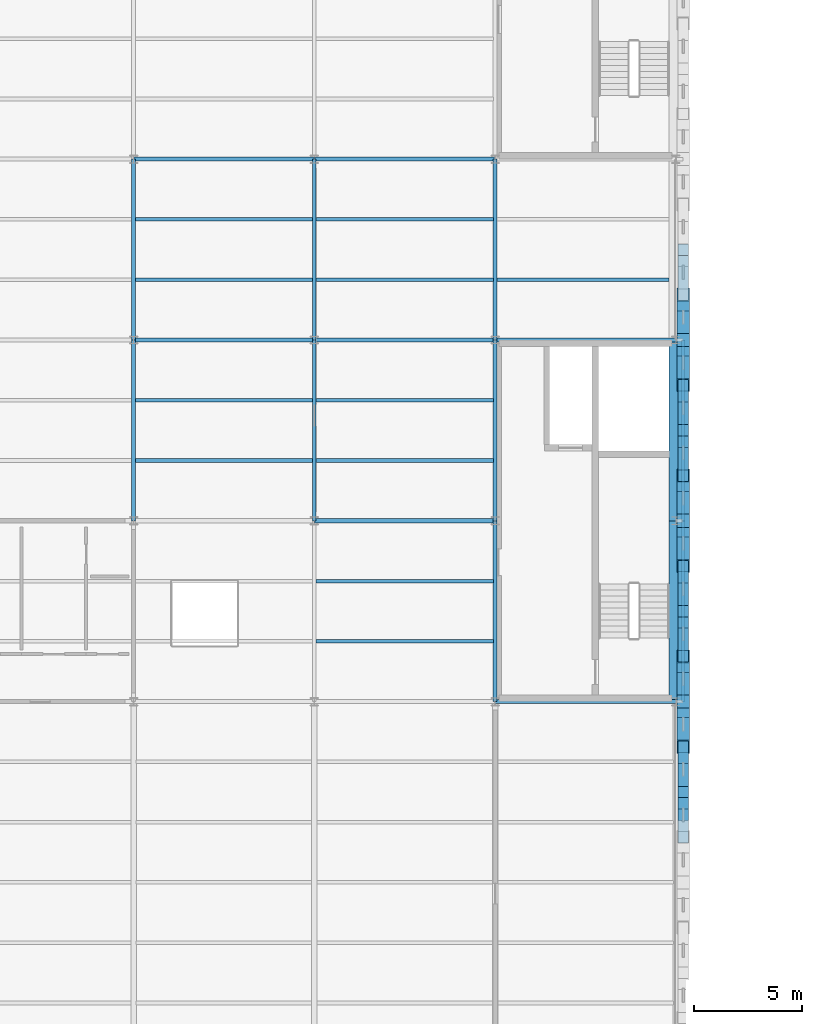
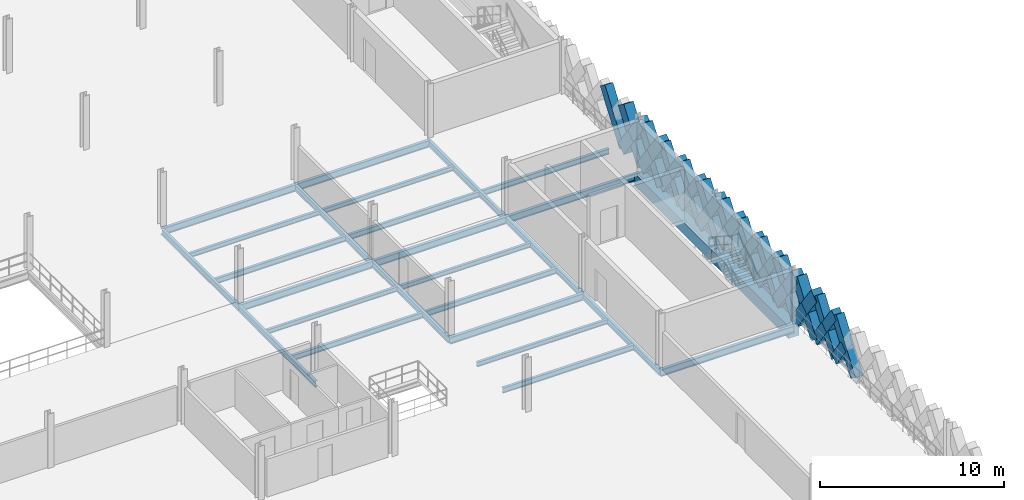
# One storey, part 24 of 74: 38 members, 27 beams.
"""IFC4 building model written with IfcOpenShell, lengths in metres."""

from ifc_helpers import new_model, si_unit, direction, frame, origin, origin_2d, place, context, subcontext, project, spatial, rectangle, hollow_rectangle, i_section, extrude, material, material_profile, profile_set, type_object, element, save


model = new_model("IFC4")

# Units and contexts
model_context = context("Model", 3, precision=1e-05, world=origin(), true_north=direction((0.0, 1.0)))
body_context = subcontext(model_context, "Body", "Model", "MODEL_VIEW")
ifc_project = project(units=[si_unit("LENGTHUNIT", "METRE"), si_unit("AREAUNIT", "SQUARE_METRE"), si_unit("VOLUMEUNIT", "CUBIC_METRE"), si_unit("PLANEANGLEUNIT", "RADIAN"), si_unit("MASSUNIT", "GRAM", prefix="KILO"), si_unit("THERMODYNAMICTEMPERATUREUNIT", "KELVIN"), si_unit("POWERUNIT", "WATT")], contexts=[model_context])

# Site, building, storey
site_placement = place(None, origin())
site = spatial("IfcSite", under=ifc_project, at=site_placement, CompositionType="ELEMENT")
building_placement = place(site_placement, origin())
building = spatial("IfcBuilding", under=site, at=building_placement, Name="Tembeka Court Mobility Hub", CompositionType="ELEMENT")
storey_placement = place(building_placement, frame((0.0, 0.0, 12.60009765625)))
storey = spatial("IfcBuildingStorey", under=building, at=storey_placement, Name="L03", CompositionType="ELEMENT", Elevation=12.60009765625)

# Beams
ifc_material_1 = material(Name="Steel S355", Category="steel")
ifc_material_profile_1 = material_profile(ifc_material_1, i_section(OverallWidth=0.18994140625, OverallDepth=0.45703125, WebThickness=0.009033203125, FlangeThickness=0.014404296875, FilletRadius=0.01025390625, at=origin_2d()), Name="UKB 457x191x74")
ifc_profile_set_1 = profile_set([ifc_material_profile_1], Name="Steel S355")
beam_type_1 = type_object("IfcBeamType", Name="BM-B01", PredefinedType="BEAM", material=ifc_profile_set_1)
for number, where, z_axis, x_axis, name in (
    (1, (84.0, 38.39990234375, -0.448486328125), (1.0, 0.0, 0.0), (0.0, 1.0, 0.0), "Beam B01 (BM-L03-X1728)"),
    (2, (75.60009765625, 46.800048828125, -0.448486328125), (1.0, 0.0, 0.0), (0.0, 1.0, 0.0), "Beam B01 (BM-L03-X1742)"),
):
    element("IfcBeam", number, at=place(storey_placement, frame(where, z_axis=z_axis, x_axis=x_axis)), inside=storey, type_object=beam_type_1, Name=name, PredefinedType="BEAM", context=body_context, shape_type="SweptSolid", body=[
        extrude(i_section(OverallWidth=0.18994140625, OverallDepth=0.45703125, WebThickness=0.009033203125, FlangeThickness=0.014404296875, FilletRadius=0.01025390625, at=origin_2d()), origin(), (0.0, 0.0, 1.0), 8.39990234375),
    ])
beam_1_placement = place(storey_placement, frame((67.199951171875, 55.199951171875, -0.448486328125), z_axis=(1.0, 0.0, 0.0), x_axis=(0.0, 1.0, 0.0)))
element("IfcBeam", 3, at=beam_1_placement, inside=storey, type_object=beam_type_1, Name="Beam B01 (BM-L03-X1756)", PredefinedType="BEAM", context=body_context, shape_type="SweptSolid", body=[
    extrude(i_section(OverallWidth=0.18994140625, OverallDepth=0.45703125, WebThickness=0.009033203125, FlangeThickness=0.014404296875, FilletRadius=0.01025390625, at=origin_2d()), origin(), (0.0, 0.0, 1.0), 8.400146484375),
])
for number, where, z_axis, x_axis, name in (
    (4, (75.60009765625, 55.199951171875, -0.448486328125), (1.0, 0.0, 0.0), (0.0, 1.0, 0.0), "Beam B01 (BM-L03-X1757)"),
    (5, (84.0, 55.199951171875, -0.448486328125), (1.0, 0.0, 0.0), (0.0, 1.0, 0.0), "Beam B01 (BM-L03-X1758)"),
):
    element("IfcBeam", number, at=place(storey_placement, frame(where, z_axis=z_axis, x_axis=x_axis)), inside=storey, type_object=beam_type_1, Name=name, PredefinedType="BEAM", context=body_context, shape_type="SweptSolid", body=[
        extrude(i_section(OverallWidth=0.18994140625, OverallDepth=0.45703125, WebThickness=0.009033203125, FlangeThickness=0.014404296875, FilletRadius=0.01025390625, at=origin_2d()), origin(), (0.0, 0.0, 1.0), 8.39990234375),
    ])
beam_2_placement = place(storey_placement, frame((67.199951171875, 63.60009765625, -0.448486328125), z_axis=(1.0, 0.0, 0.0), x_axis=(0.0, 1.0, 0.0)))
element("IfcBeam", 6, at=beam_2_placement, inside=storey, type_object=beam_type_1, Name="Beam B01 (BM-L03-X1768)", PredefinedType="BEAM", context=body_context, shape_type="SweptSolid", body=[
    extrude(i_section(OverallWidth=0.18994140625, OverallDepth=0.45703125, WebThickness=0.009033203125, FlangeThickness=0.014404296875, FilletRadius=0.01025390625, at=origin_2d()), origin(), (0.0, 0.0, 1.0), 8.400146484375),
])
beam_3_placement = place(storey_placement, frame((75.60009765625, 63.60009765625, -0.448486328125), z_axis=(1.0, 0.0, 0.0), x_axis=(0.0, 1.0, 0.0)))
element("IfcBeam", 7, at=beam_3_placement, inside=storey, type_object=beam_type_1, Name="Beam B01 (BM-L03-X1769)", PredefinedType="BEAM", context=body_context, shape_type="SweptSolid", body=[
    extrude(i_section(OverallWidth=0.18994140625, OverallDepth=0.45703125, WebThickness=0.009033203125, FlangeThickness=0.014404296875, FilletRadius=0.01025390625, at=origin_2d()), origin(), (0.0, 0.0, 1.0), 8.39990234375),
])
ifc_material_profile_2 = material_profile(ifc_material_1, i_section(OverallWidth=0.177978515625, OverallDepth=0.406005859375, WebThickness=0.0078125, FlangeThickness=0.0126953125, FilletRadius=0.01025390625, at=origin_2d()), Name="UKB 406x178x60")
ifc_profile_set_2 = profile_set([ifc_material_profile_2], Name="Steel S355")
beam_type_2 = type_object("IfcBeamType", Name="BM-B02", PredefinedType="BEAM", material=ifc_profile_set_2)
beam_4_placement = place(storey_placement, frame((67.199951171875, 46.800048828125, -0.423095703125), z_axis=(0.0, 1.0, 0.0), x_axis=(-1.0, 0.0, 0.0)))
element("IfcBeam", 8, at=beam_4_placement, inside=storey, type_object=beam_type_2, Name="Beam B02 (BM-L03-Y1887)", PredefinedType="BEAM", context=body_context, shape_type="SweptSolid", body=[
    extrude(i_section(OverallWidth=0.177978515625, OverallDepth=0.406005859375, WebThickness=0.0078125, FlangeThickness=0.0126953125, FilletRadius=0.01025390625, at=origin_2d()), origin(), (0.0, 0.0, 1.0), 8.39990234375),
])
beam_5_placement = place(storey_placement, frame((67.199951171875, 55.199951171875, -0.423095703125), z_axis=(0.0, 1.0, 0.0), x_axis=(-1.0, 0.0, 0.0)))
element("IfcBeam", 9, at=beam_5_placement, inside=storey, type_object=beam_type_2, Name="Beam B02 (BM-L03-Y1888)", PredefinedType="BEAM", context=body_context, shape_type="SweptSolid", body=[
    extrude(i_section(OverallWidth=0.177978515625, OverallDepth=0.406005859375, WebThickness=0.0078125, FlangeThickness=0.0126953125, FilletRadius=0.01025390625, at=origin_2d()), origin(), (0.0, 0.0, 1.0), 8.400146484375),
])
beam_6_placement = place(storey_placement, frame((75.60009765625, 46.800048828125, -0.423095703125), z_axis=(0.0, 1.0, 0.0), x_axis=(-1.0, 0.0, 0.0)))
element("IfcBeam", 10, at=beam_6_placement, inside=storey, type_object=beam_type_2, Name="Beam B02 (BM-L03-Y1894)", PredefinedType="BEAM", context=body_context, shape_type="SweptSolid", body=[
    extrude(i_section(OverallWidth=0.177978515625, OverallDepth=0.406005859375, WebThickness=0.0078125, FlangeThickness=0.0126953125, FilletRadius=0.01025390625, at=origin_2d()), origin(), (0.0, 0.0, 1.0), 8.39990234375),
])
for number, where, z_axis, x_axis, name in (
    (11, (75.60009765625, 55.199951171875, -0.423095703125), (0.0, 1.0, 0.0), (-1.0, 0.0, 0.0), "Beam B02 (BM-L03-Y1895)"),
    (12, (84.0, 38.39990234375, -0.423095703125), (0.0, 1.0, 0.0), (-1.0, 0.0, 0.0), "Beam B02 (BM-L03-Y1902)"),
):
    element("IfcBeam", number, at=place(storey_placement, frame(where, z_axis=z_axis, x_axis=x_axis)), inside=storey, type_object=beam_type_2, Name=name, PredefinedType="BEAM", context=body_context, shape_type="SweptSolid", body=[
        extrude(i_section(OverallWidth=0.177978515625, OverallDepth=0.406005859375, WebThickness=0.0078125, FlangeThickness=0.0126953125, FilletRadius=0.01025390625, at=origin_2d()), origin(), (0.0, 0.0, 1.0), 8.400146484375),
    ])
beam_7_placement = place(storey_placement, frame((84.0, 46.800048828125, -0.423095703125), z_axis=(0.0, 1.0, 0.0), x_axis=(-1.0, 0.0, 0.0)))
element("IfcBeam", 13, at=beam_7_placement, inside=storey, type_object=beam_type_2, Name="Beam B02 (BM-L03-Y1903)", PredefinedType="BEAM", context=body_context, shape_type="SweptSolid", body=[
    extrude(i_section(OverallWidth=0.177978515625, OverallDepth=0.406005859375, WebThickness=0.0078125, FlangeThickness=0.0126953125, FilletRadius=0.01025390625, at=origin_2d()), origin(), (0.0, 0.0, 1.0), 8.39990234375),
])
beam_8_placement = place(storey_placement, frame((84.0, 55.199951171875, -0.423095703125), z_axis=(0.0, 1.0, 0.0), x_axis=(-1.0, 0.0, 0.0)))
element("IfcBeam", 14, at=beam_8_placement, inside=storey, type_object=beam_type_2, Name="Beam B02 (BM-L03-Y1904)", PredefinedType="BEAM", context=body_context, shape_type="SweptSolid", body=[
    extrude(i_section(OverallWidth=0.177978515625, OverallDepth=0.406005859375, WebThickness=0.0078125, FlangeThickness=0.0126953125, FilletRadius=0.01025390625, at=origin_2d()), origin(), (0.0, 0.0, 1.0), 8.400146484375),
])
ifc_material_profile_3 = material_profile(ifc_material_1, i_section(OverallWidth=0.1650390625, OverallDepth=0.303955078125, WebThickness=0.006103515625, FlangeThickness=0.01025390625, FilletRadius=0.0087890625, at=origin_2d()), Name="UKB 305x165x40")
ifc_profile_set_3 = profile_set([ifc_material_profile_3], Name="Steel S355")
beam_type_3 = type_object("IfcBeamType", Name="BM-J02", PredefinedType="JOIST", material=ifc_profile_set_3)
for number, where, z_axis, x_axis, name in (
    (15, (67.283935546875, 52.39990234375, -0.3720703125), (1.0, 0.0, 0.0), (0.0, 1.0, 0.0), "Beam J02 (JST-L03-2098)"),
    (16, (67.283935546875, 60.800048828125, -0.3720703125), (1.0, 0.0, 0.0), (0.0, 1.0, 0.0), "Beam J02 (JST-L03-2100)"),
):
    element("IfcBeam", number, at=place(storey_placement, frame(where, z_axis=z_axis, x_axis=x_axis)), inside=storey, type_object=beam_type_3, Name=name, PredefinedType="JOIST", context=body_context, shape_type="SweptSolid", body=[
        extrude(i_section(OverallWidth=0.1650390625, OverallDepth=0.303955078125, WebThickness=0.006103515625, FlangeThickness=0.01025390625, FilletRadius=0.0087890625, at=origin_2d()), origin(), (0.0, 0.0, 1.0), 8.232177734375),
    ])
for number, where, z_axis, x_axis, name in (
    (17, (75.68408203125, 44.0, -0.3720703125), (1.0, 0.0, 0.0), (0.0, 1.0, 0.0), "Beam J02 (JST-L03-2116)"),
    (18, (75.68408203125, 52.39990234375, -0.3720703125), (1.0, 0.0, 0.0), (0.0, 1.0, 0.0), "Beam J02 (JST-L03-2118)"),
    (19, (75.68408203125, 60.800048828125, -0.3720703125), (1.0, 0.0, 0.0), (0.0, 1.0, 0.0), "Beam J02 (JST-L03-2120)"),
):
    element("IfcBeam", number, at=place(storey_placement, frame(where, z_axis=z_axis, x_axis=x_axis)), inside=storey, type_object=beam_type_3, Name=name, PredefinedType="JOIST", context=body_context, shape_type="SweptSolid", body=[
        extrude(i_section(OverallWidth=0.1650390625, OverallDepth=0.303955078125, WebThickness=0.006103515625, FlangeThickness=0.01025390625, FilletRadius=0.0087890625, at=origin_2d()), origin(), (0.0, 0.0, 1.0), 8.23193359375),
    ])
ifc_material_profile_4 = material_profile(ifc_material_1, i_section(OverallWidth=0.169921875, OverallDepth=0.360107421875, WebThickness=0.008056640625, FlangeThickness=0.0126953125, FilletRadius=0.01806640625, at=origin_2d()), Name="IPE 360")
ifc_profile_set_4 = profile_set([ifc_material_profile_4], Name="Steel S355")
beam_type_4 = type_object("IfcBeamType", Name="BM-J03", PredefinedType="JOIST", material=ifc_profile_set_4)
for number, where, z_axis, x_axis, name in (
    (20, (67.283935546875, 49.60009765625, -0.400146484375), (1.0, 0.0, 0.0), (0.0, 1.0, 0.0), "Beam J03 (JST-L03-2097)"),
    (21, (67.283935546875, 58.0, -0.400146484375), (1.0, 0.0, 0.0), (0.0, 1.0, 0.0), "Beam J03 (JST-L03-2099)"),
):
    element("IfcBeam", number, at=place(storey_placement, frame(where, z_axis=z_axis, x_axis=x_axis)), inside=storey, type_object=beam_type_4, Name=name, PredefinedType="JOIST", context=body_context, shape_type="SweptSolid", body=[
        extrude(i_section(OverallWidth=0.169921875, OverallDepth=0.360107421875, WebThickness=0.008056640625, FlangeThickness=0.0126953125, FilletRadius=0.01806640625, at=origin_2d()), origin(), (0.0, 0.0, 1.0), 8.232177734375),
    ])
for number, where, z_axis, x_axis, name in (
    (22, (75.68408203125, 41.199951171875, -0.400146484375), (1.0, 0.0, 0.0), (0.0, 1.0, 0.0), "Beam J03 (JST-L03-2115)"),
    (23, (75.68408203125, 49.60009765625, -0.400146484375), (1.0, 0.0, 0.0), (0.0, 1.0, 0.0), "Beam J03 (JST-L03-2117)"),
    (24, (75.68408203125, 58.0, -0.400146484375), (1.0, 0.0, 0.0), (0.0, 1.0, 0.0), "Beam J03 (JST-L03-2119)"),
):
    element("IfcBeam", number, at=place(storey_placement, frame(where, z_axis=z_axis, x_axis=x_axis)), inside=storey, type_object=beam_type_4, Name=name, PredefinedType="JOIST", context=body_context, shape_type="SweptSolid", body=[
        extrude(i_section(OverallWidth=0.169921875, OverallDepth=0.360107421875, WebThickness=0.008056640625, FlangeThickness=0.0126953125, FilletRadius=0.01806640625, at=origin_2d()), origin(), (0.0, 0.0, 1.0), 8.23193359375),
    ])
beam_9_placement = place(storey_placement, frame((84.083984375, 58.0, -0.400146484375), z_axis=(1.0, 0.0, 0.0), x_axis=(0.0, 1.0, 0.0)))
element("IfcBeam", 25, at=beam_9_placement, inside=storey, type_object=beam_type_4, Name="Beam J03 (JST-L03-2135)", PredefinedType="JOIST", context=body_context, shape_type="SweptSolid", body=[
    extrude(i_section(OverallWidth=0.169921875, OverallDepth=0.360107421875, WebThickness=0.008056640625, FlangeThickness=0.0126953125, FilletRadius=0.01806640625, at=origin_2d()), origin(), (0.0, 0.0, 1.0), 7.99609375),
])
ifc_material_2 = material(Name="Precast concrete C45/55", Category="concrete")
ifc_material_profile_5 = material_profile(ifc_material_2, rectangle(XDim=0.64990234375, YDim=0.800048828125, at=origin_2d()), Name="PC-SP 650x800")
ifc_profile_set_5 = profile_set([ifc_material_profile_5], Name="Precast concrete C45/55")
beam_type_5 = type_object("IfcBeamType", Name="BM-SP01", PredefinedType="SPANDREL", material=ifc_profile_set_5)
beam_10_placement = place(storey_placement, frame((92.39990234375, 38.39990234375, -0.6201171875), z_axis=(0.0, 1.0, 0.0), x_axis=(-1.0, 0.0, 0.0)))
element("IfcBeam", 26, at=beam_10_placement, inside=storey, type_object=beam_type_5, Name="Beam SP01 (BM-L03-Y1913)", PredefinedType="SPANDREL", context=body_context, shape_type="SweptSolid", body=[
    extrude(rectangle(XDim=0.64990234375, YDim=0.800048828125, at=origin_2d()), origin(), (0.0, 0.0, 1.0), 8.400146484375),
])
beam_11_placement = place(storey_placement, frame((92.39990234375, 46.800048828125, -0.6201171875), z_axis=(0.0, 1.0, 0.0), x_axis=(-1.0, 0.0, 0.0)))
element("IfcBeam", 27, at=beam_11_placement, inside=storey, type_object=beam_type_5, Name="Beam SP01 (BM-L03-Y1914)", PredefinedType="SPANDREL", context=body_context, shape_type="SweptSolid", body=[
    extrude(rectangle(XDim=0.64990234375, YDim=0.800048828125, at=origin_2d()), origin(), (0.0, 0.0, 1.0), 8.39990234375),
])

# Members
ifc_material_profile_6 = material_profile(ifc_material_2, rectangle(XDim=0.5, YDim=0.64990234375, at=origin_2d()), Name="PC-DIAG 500x650")
ifc_profile_set_6 = profile_set([ifc_material_profile_6], Name="Precast concrete C45/55")
member_type_1 = type_object("IfcMemberType", Name="MEM-DL01", PredefinedType="BRACE", material=ifc_profile_set_6)
member_1_placement = place(storey_placement, frame((92.739990234375, 32.10009765625, 0.02001953125), z_axis=(0.0, 0.58253161945, 0.812808041509), x_axis=(-1.0, 0.0, 0.0)))
element("IfcMember", 28, at=member_1_placement, inside=storey, type_object=member_type_1, Name="Precast diamond lattice continuous strand DL01 (L03-548C)", PredefinedType="BRACE", context=body_context, shape_type="SweptSolid", body=[
    extrude(rectangle(XDim=0.5, YDim=0.64990234375, at=origin_2d()), origin(), (0.0, 0.0, 1.0), 3.604736328125),
])
member_2_placement = place(storey_placement, frame((92.739990234375, 34.199951171875, 0.02001953125), z_axis=(0.0, -0.582608431711, 0.812752985414), x_axis=(1.0, 0.0, 0.0)))
element("IfcMember", 29, at=member_2_placement, inside=storey, type_object=member_type_1, Name="Precast diamond lattice split lower strand DL01 (L03-548D1)", PredefinedType="BRACE", context=body_context, shape_type="SweptSolid", body=[
    extrude(rectangle(XDim=0.5, YDim=0.64990234375, at=origin_2d()), origin(), (0.0, 0.0, 1.0), 1.80224609375),
])
member_3_placement = place(storey_placement, frame((92.739990234375, 34.199951171875, 0.02001953125), z_axis=(0.0, 0.582576362011, 0.812775973086), x_axis=(-1.0, 0.0, 0.0)))
element("IfcMember", 30, at=member_3_placement, inside=storey, type_object=member_type_1, Name="Precast diamond lattice continuous strand DL01 (L03-549C)", PredefinedType="BRACE", context=body_context, shape_type="SweptSolid", body=[
    extrude(rectangle(XDim=0.5, YDim=0.64990234375, at=origin_2d()), origin(), (0.0, 0.0, 1.0), 3.604736328125),
])
member_4_placement = place(storey_placement, frame((92.739990234375, 36.300048828125, 0.02001953125), z_axis=(0.0, -0.582608431711, 0.812752985414), x_axis=(1.0, 0.0, 0.0)))
element("IfcMember", 31, at=member_4_placement, inside=storey, type_object=member_type_1, Name="Precast diamond lattice split lower strand DL01 (L03-549D1)", PredefinedType="BRACE", context=body_context, shape_type="SweptSolid", body=[
    extrude(rectangle(XDim=0.5, YDim=0.64990234375, at=origin_2d()), origin(), (0.0, 0.0, 1.0), 1.80224609375),
])
member_5_placement = place(storey_placement, frame((92.739990234375, 35.25, 1.48486328125), z_axis=(0.0, -0.582544294934, 0.812798956963), x_axis=(1.0, 0.0, 0.0)))
element("IfcMember", 32, at=member_5_placement, inside=storey, type_object=member_type_1, Name="Precast diamond lattice split upper strand DL01 (L03-549D2)", PredefinedType="BRACE", context=body_context, shape_type="SweptSolid", body=[
    extrude(rectangle(XDim=0.5, YDim=0.64990234375, at=origin_2d()), origin(), (0.0, 0.0, 1.0), 1.802490234375),
])
member_6_placement = place(storey_placement, frame((92.739990234375, 40.5, 0.02001953125), z_axis=(0.0, 0.582576362011, 0.812775973086), x_axis=(-1.0, 0.0, 0.0)))
element("IfcMember", 33, at=member_6_placement, inside=storey, type_object=member_type_1, Name="Precast diamond lattice continuous strand DL01 (L03-552C)", PredefinedType="BRACE", context=body_context, shape_type="SweptSolid", body=[
    extrude(rectangle(XDim=0.5, YDim=0.64990234375, at=origin_2d()), origin(), (0.0, 0.0, 1.0), 3.604736328125),
])
member_7_placement = place(storey_placement, frame((92.739990234375, 42.60009765625, 0.02001953125), z_axis=(0.0, -0.582608431711, 0.812752985414), x_axis=(1.0, 0.0, 0.0)))
element("IfcMember", 34, at=member_7_placement, inside=storey, type_object=member_type_1, Name="Precast diamond lattice split lower strand DL01 (L03-552D1)", PredefinedType="BRACE", context=body_context, shape_type="SweptSolid", body=[
    extrude(rectangle(XDim=0.5, YDim=0.64990234375, at=origin_2d()), origin(), (0.0, 0.0, 1.0), 1.80224609375),
])
member_8_placement = place(storey_placement, frame((92.739990234375, 41.550048828125, 1.48486328125), z_axis=(0.0, -0.582544294934, 0.812798956963), x_axis=(1.0, 0.0, 0.0)))
element("IfcMember", 35, at=member_8_placement, inside=storey, type_object=member_type_1, Name="Precast diamond lattice split upper strand DL01 (L03-552D2)", PredefinedType="BRACE", context=body_context, shape_type="SweptSolid", body=[
    extrude(rectangle(XDim=0.5, YDim=0.64990234375, at=origin_2d()), origin(), (0.0, 0.0, 1.0), 1.802490234375),
])
member_9_placement = place(storey_placement, frame((92.739990234375, 42.60009765625, 0.02001953125), z_axis=(0.0, 0.58253161945, 0.812808041509), x_axis=(-1.0, 0.0, 0.0)))
element("IfcMember", 36, at=member_9_placement, inside=storey, type_object=member_type_1, Name="Precast diamond lattice continuous strand DL01 (L03-553C)", PredefinedType="BRACE", context=body_context, shape_type="SweptSolid", body=[
    extrude(rectangle(XDim=0.5, YDim=0.64990234375, at=origin_2d()), origin(), (0.0, 0.0, 1.0), 3.604736328125),
])
member_10_placement = place(storey_placement, frame((92.739990234375, 44.699951171875, 0.02001953125), z_axis=(0.0, -0.582608431711, 0.812752985414), x_axis=(1.0, 0.0, 0.0)))
element("IfcMember", 37, at=member_10_placement, inside=storey, type_object=member_type_1, Name="Precast diamond lattice split lower strand DL01 (L03-553D1)", PredefinedType="BRACE", context=body_context, shape_type="SweptSolid", body=[
    extrude(rectangle(XDim=0.5, YDim=0.64990234375, at=origin_2d()), origin(), (0.0, 0.0, 1.0), 1.80224609375),
])
member_11_placement = place(storey_placement, frame((92.739990234375, 43.64990234375, 1.48486328125), z_axis=(0.0, -0.582454804382, 0.812863088627), x_axis=(1.0, 0.0, 0.0)))
element("IfcMember", 38, at=member_11_placement, inside=storey, type_object=member_type_1, Name="Precast diamond lattice split upper strand DL01 (L03-553D2)", PredefinedType="BRACE", context=body_context, shape_type="SweptSolid", body=[
    extrude(rectangle(XDim=0.5, YDim=0.64990234375, at=origin_2d()), origin(), (0.0, 0.0, 1.0), 1.802490234375),
])
member_12_placement = place(storey_placement, frame((92.739990234375, 48.89990234375, 0.02001953125), z_axis=(0.0, 0.582576362011, 0.812775973086), x_axis=(-1.0, 0.0, 0.0)))
element("IfcMember", 39, at=member_12_placement, inside=storey, type_object=member_type_1, Name="Precast diamond lattice continuous strand DL01 (L03-556C)", PredefinedType="BRACE", context=body_context, shape_type="SweptSolid", body=[
    extrude(rectangle(XDim=0.5, YDim=0.64990234375, at=origin_2d()), origin(), (0.0, 0.0, 1.0), 3.604736328125),
])
member_13_placement = place(storey_placement, frame((92.739990234375, 51.0, 0.02001953125), z_axis=(0.0, -0.582608431711, 0.812752985414), x_axis=(1.0, 0.0, 0.0)))
element("IfcMember", 40, at=member_13_placement, inside=storey, type_object=member_type_1, Name="Precast diamond lattice split lower strand DL01 (L03-556D1)", PredefinedType="BRACE", context=body_context, shape_type="SweptSolid", body=[
    extrude(rectangle(XDim=0.5, YDim=0.64990234375, at=origin_2d()), origin(), (0.0, 0.0, 1.0), 1.80224609375),
])
member_14_placement = place(storey_placement, frame((92.739990234375, 49.949951171875, 1.48486328125), z_axis=(0.0, -0.582544294934, 0.812798956963), x_axis=(1.0, 0.0, 0.0)))
element("IfcMember", 41, at=member_14_placement, inside=storey, type_object=member_type_1, Name="Precast diamond lattice split upper strand DL01 (L03-556D2)", PredefinedType="BRACE", context=body_context, shape_type="SweptSolid", body=[
    extrude(rectangle(XDim=0.5, YDim=0.64990234375, at=origin_2d()), origin(), (0.0, 0.0, 1.0), 1.802490234375),
])
member_15_placement = place(storey_placement, frame((92.739990234375, 51.0, 0.02001953125), z_axis=(0.0, 0.582576362011, 0.812775973086), x_axis=(-1.0, 0.0, 0.0)))
element("IfcMember", 42, at=member_15_placement, inside=storey, type_object=member_type_1, Name="Precast diamond lattice continuous strand DL01 (L03-557C)", PredefinedType="BRACE", context=body_context, shape_type="SweptSolid", body=[
    extrude(rectangle(XDim=0.5, YDim=0.64990234375, at=origin_2d()), origin(), (0.0, 0.0, 1.0), 3.604736328125),
])
member_16_placement = place(storey_placement, frame((92.739990234375, 53.10009765625, 0.02001953125), z_axis=(0.0, -0.582608431711, 0.812752985414), x_axis=(1.0, 0.0, 0.0)))
element("IfcMember", 43, at=member_16_placement, inside=storey, type_object=member_type_1, Name="Precast diamond lattice split lower strand DL01 (L03-557D1)", PredefinedType="BRACE", context=body_context, shape_type="SweptSolid", body=[
    extrude(rectangle(XDim=0.5, YDim=0.64990234375, at=origin_2d()), origin(), (0.0, 0.0, 1.0), 1.80224609375),
])
member_17_placement = place(storey_placement, frame((92.739990234375, 52.050048828125, 1.48486328125), z_axis=(0.0, -0.582544294934, 0.812798956963), x_axis=(1.0, 0.0, 0.0)))
element("IfcMember", 44, at=member_17_placement, inside=storey, type_object=member_type_1, Name="Precast diamond lattice split upper strand DL01 (L03-557D2)", PredefinedType="BRACE", context=body_context, shape_type="SweptSolid", body=[
    extrude(rectangle(XDim=0.5, YDim=0.64990234375, at=origin_2d()), origin(), (0.0, 0.0, 1.0), 1.802490234375),
])
member_18_placement = place(storey_placement, frame((92.739990234375, 57.300048828125, 0.02001953125), z_axis=(0.0, 0.58253161945, 0.812808041509), x_axis=(-1.0, 0.0, 0.0)))
element("IfcMember", 45, at=member_18_placement, inside=storey, type_object=member_type_1, Name="Precast diamond lattice continuous strand DL01 (L03-560C)", PredefinedType="BRACE", context=body_context, shape_type="SweptSolid", body=[
    extrude(rectangle(XDim=0.5, YDim=0.64990234375, at=origin_2d()), origin(), (0.0, 0.0, 1.0), 3.604736328125),
])
ifc_material_profile_7 = material_profile(ifc_material_2, rectangle(XDim=0.60009765625, YDim=0.75, at=origin_2d()), Name="PC-DIAG 600x750")
ifc_profile_set_7 = profile_set([ifc_material_profile_7], Name="Precast concrete C45/55")
member_type_2 = type_object("IfcMemberType", Name="MEM-DL02", PredefinedType="BRACE", material=ifc_profile_set_7)
member_19_placement = place(storey_placement, frame((92.739990234375, 36.300048828125, 0.02001953125), z_axis=(0.0, 0.58253161945, 0.812808041509), x_axis=(-1.0, 0.0, 0.0)))
element("IfcMember", 46, at=member_19_placement, inside=storey, type_object=member_type_2, Name="Precast diamond lattice continuous strand DL02 (L03-550C)", PredefinedType="BRACE", context=body_context, shape_type="SweptSolid", body=[
    extrude(rectangle(XDim=0.60009765625, YDim=0.75, at=origin_2d()), origin(), (0.0, 0.0, 1.0), 3.604736328125),
])
member_20_placement = place(storey_placement, frame((92.739990234375, 38.39990234375, 0.02001953125), z_axis=(0.0, -0.582518941428, 0.812817127574), x_axis=(1.0, 0.0, 0.0)))
element("IfcMember", 47, at=member_20_placement, inside=storey, type_object=member_type_2, Name="Precast diamond lattice split lower strand DL02 (L03-550D1)", PredefinedType="BRACE", context=body_context, shape_type="SweptSolid", body=[
    extrude(rectangle(XDim=0.60009765625, YDim=0.75, at=origin_2d()), origin(), (0.0, 0.0, 1.0), 1.80224609375),
])
member_21_placement = place(storey_placement, frame((92.739990234375, 37.35009765625, 1.48486328125), z_axis=(0.0, -0.582544294934, 0.812798956963), x_axis=(1.0, 0.0, 0.0)))
element("IfcMember", 48, at=member_21_placement, inside=storey, type_object=member_type_2, Name="Precast diamond lattice split upper strand DL02 (L03-550D2)", PredefinedType="BRACE", context=body_context, shape_type="SweptSolid", body=[
    extrude(rectangle(XDim=0.60009765625, YDim=0.75, at=origin_2d()), origin(), (0.0, 0.0, 1.0), 1.802490234375),
])
member_22_placement = place(storey_placement, frame((92.739990234375, 38.39990234375, 0.02001953125), z_axis=(0.0, 0.582576362011, 0.812775973086), x_axis=(-1.0, 0.0, 0.0)))
element("IfcMember", 49, at=member_22_placement, inside=storey, type_object=member_type_2, Name="Precast diamond lattice continuous strand DL02 (L03-551C)", PredefinedType="BRACE", context=body_context, shape_type="SweptSolid", body=[
    extrude(rectangle(XDim=0.60009765625, YDim=0.75, at=origin_2d()), origin(), (0.0, 0.0, 1.0), 3.604736328125),
])
member_23_placement = place(storey_placement, frame((92.739990234375, 40.5, 0.02001953125), z_axis=(0.0, -0.582608431711, 0.812752985414), x_axis=(1.0, 0.0, 0.0)))
element("IfcMember", 50, at=member_23_placement, inside=storey, type_object=member_type_2, Name="Precast diamond lattice split lower strand DL02 (L03-551D1)", PredefinedType="BRACE", context=body_context, shape_type="SweptSolid", body=[
    extrude(rectangle(XDim=0.60009765625, YDim=0.75, at=origin_2d()), origin(), (0.0, 0.0, 1.0), 1.80224609375),
])
member_24_placement = place(storey_placement, frame((92.739990234375, 39.449951171875, 1.48486328125), z_axis=(0.0, -0.582544294934, 0.812798956963), x_axis=(1.0, 0.0, 0.0)))
element("IfcMember", 51, at=member_24_placement, inside=storey, type_object=member_type_2, Name="Precast diamond lattice split upper strand DL02 (L03-551D2)", PredefinedType="BRACE", context=body_context, shape_type="SweptSolid", body=[
    extrude(rectangle(XDim=0.60009765625, YDim=0.75, at=origin_2d()), origin(), (0.0, 0.0, 1.0), 1.802490234375),
])
member_25_placement = place(storey_placement, frame((92.739990234375, 44.699951171875, 0.02001953125), z_axis=(0.0, 0.582576362011, 0.812775973086), x_axis=(-1.0, 0.0, 0.0)))
element("IfcMember", 52, at=member_25_placement, inside=storey, type_object=member_type_2, Name="Precast diamond lattice continuous strand DL02 (L03-554C)", PredefinedType="BRACE", context=body_context, shape_type="SweptSolid", body=[
    extrude(rectangle(XDim=0.60009765625, YDim=0.75, at=origin_2d()), origin(), (0.0, 0.0, 1.0), 3.604736328125),
])
member_26_placement = place(storey_placement, frame((92.739990234375, 46.800048828125, 0.02001953125), z_axis=(0.0, -0.582608431711, 0.812752985414), x_axis=(1.0, 0.0, 0.0)))
element("IfcMember", 53, at=member_26_placement, inside=storey, type_object=member_type_2, Name="Precast diamond lattice split lower strand DL02 (L03-554D1)", PredefinedType="BRACE", context=body_context, shape_type="SweptSolid", body=[
    extrude(rectangle(XDim=0.60009765625, YDim=0.75, at=origin_2d()), origin(), (0.0, 0.0, 1.0), 1.80224609375),
])
member_27_placement = place(storey_placement, frame((92.739990234375, 45.75, 1.48486328125), z_axis=(0.0, -0.582544294934, 0.812798956963), x_axis=(1.0, 0.0, 0.0)))
element("IfcMember", 54, at=member_27_placement, inside=storey, type_object=member_type_2, Name="Precast diamond lattice split upper strand DL02 (L03-554D2)", PredefinedType="BRACE", context=body_context, shape_type="SweptSolid", body=[
    extrude(rectangle(XDim=0.60009765625, YDim=0.75, at=origin_2d()), origin(), (0.0, 0.0, 1.0), 1.802490234375),
])
member_28_placement = place(storey_placement, frame((92.739990234375, 46.800048828125, 0.02001953125), z_axis=(0.0, 0.58253161945, 0.812808041509), x_axis=(-1.0, 0.0, 0.0)))
element("IfcMember", 55, at=member_28_placement, inside=storey, type_object=member_type_2, Name="Precast diamond lattice continuous strand DL02 (L03-555C)", PredefinedType="BRACE", context=body_context, shape_type="SweptSolid", body=[
    extrude(rectangle(XDim=0.60009765625, YDim=0.75, at=origin_2d()), origin(), (0.0, 0.0, 1.0), 3.604736328125),
])
member_29_placement = place(storey_placement, frame((92.739990234375, 48.89990234375, 0.02001953125), z_axis=(0.0, -0.582518941428, 0.812817127574), x_axis=(1.0, 0.0, 0.0)))
element("IfcMember", 56, at=member_29_placement, inside=storey, type_object=member_type_2, Name="Precast diamond lattice split lower strand DL02 (L03-555D1)", PredefinedType="BRACE", context=body_context, shape_type="SweptSolid", body=[
    extrude(rectangle(XDim=0.60009765625, YDim=0.75, at=origin_2d()), origin(), (0.0, 0.0, 1.0), 1.80224609375),
])
member_30_placement = place(storey_placement, frame((92.739990234375, 47.85009765625, 1.48486328125), z_axis=(0.0, -0.582544294934, 0.812798956963), x_axis=(1.0, 0.0, 0.0)))
element("IfcMember", 57, at=member_30_placement, inside=storey, type_object=member_type_2, Name="Precast diamond lattice split upper strand DL02 (L03-555D2)", PredefinedType="BRACE", context=body_context, shape_type="SweptSolid", body=[
    extrude(rectangle(XDim=0.60009765625, YDim=0.75, at=origin_2d()), origin(), (0.0, 0.0, 1.0), 1.802490234375),
])
member_31_placement = place(storey_placement, frame((92.739990234375, 53.10009765625, 0.02001953125), z_axis=(0.0, 0.58253161945, 0.812808041509), x_axis=(-1.0, 0.0, 0.0)))
element("IfcMember", 58, at=member_31_placement, inside=storey, type_object=member_type_2, Name="Precast diamond lattice continuous strand DL02 (L03-558C)", PredefinedType="BRACE", context=body_context, shape_type="SweptSolid", body=[
    extrude(rectangle(XDim=0.60009765625, YDim=0.75, at=origin_2d()), origin(), (0.0, 0.0, 1.0), 3.604736328125),
])
member_32_placement = place(storey_placement, frame((92.739990234375, 55.199951171875, 0.02001953125), z_axis=(0.0, -0.582608431711, 0.812752985414), x_axis=(1.0, 0.0, 0.0)))
element("IfcMember", 59, at=member_32_placement, inside=storey, type_object=member_type_2, Name="Precast diamond lattice split lower strand DL02 (L03-558D1)", PredefinedType="BRACE", context=body_context, shape_type="SweptSolid", body=[
    extrude(rectangle(XDim=0.60009765625, YDim=0.75, at=origin_2d()), origin(), (0.0, 0.0, 1.0), 1.80224609375),
])
member_33_placement = place(storey_placement, frame((92.739990234375, 54.14990234375, 1.48486328125), z_axis=(0.0, -0.582454804382, 0.812863088627), x_axis=(1.0, 0.0, 0.0)))
element("IfcMember", 60, at=member_33_placement, inside=storey, type_object=member_type_2, Name="Precast diamond lattice split upper strand DL02 (L03-558D2)", PredefinedType="BRACE", context=body_context, shape_type="SweptSolid", body=[
    extrude(rectangle(XDim=0.60009765625, YDim=0.75, at=origin_2d()), origin(), (0.0, 0.0, 1.0), 1.802490234375),
])
member_34_placement = place(storey_placement, frame((92.739990234375, 55.199951171875, 0.02001953125), z_axis=(0.0, 0.582576362011, 0.812775973086), x_axis=(-1.0, 0.0, 0.0)))
element("IfcMember", 61, at=member_34_placement, inside=storey, type_object=member_type_2, Name="Precast diamond lattice continuous strand DL02 (L03-559C)", PredefinedType="BRACE", context=body_context, shape_type="SweptSolid", body=[
    extrude(rectangle(XDim=0.60009765625, YDim=0.75, at=origin_2d()), origin(), (0.0, 0.0, 1.0), 3.604736328125),
])
member_35_placement = place(storey_placement, frame((92.739990234375, 57.300048828125, 0.02001953125), z_axis=(0.0, -0.582608431711, 0.812752985414), x_axis=(1.0, 0.0, 0.0)))
element("IfcMember", 62, at=member_35_placement, inside=storey, type_object=member_type_2, Name="Precast diamond lattice split lower strand DL02 (L03-559D1)", PredefinedType="BRACE", context=body_context, shape_type="SweptSolid", body=[
    extrude(rectangle(XDim=0.60009765625, YDim=0.75, at=origin_2d()), origin(), (0.0, 0.0, 1.0), 1.80224609375),
])
member_36_placement = place(storey_placement, frame((92.739990234375, 56.25, 1.48486328125), z_axis=(0.0, -0.582544294934, 0.812798956963), x_axis=(1.0, 0.0, 0.0)))
element("IfcMember", 63, at=member_36_placement, inside=storey, type_object=member_type_2, Name="Precast diamond lattice split upper strand DL02 (L03-559D2)", PredefinedType="BRACE", context=body_context, shape_type="SweptSolid", body=[
    extrude(rectangle(XDim=0.60009765625, YDim=0.75, at=origin_2d()), origin(), (0.0, 0.0, 1.0), 1.802490234375),
])
ifc_material_profile_8 = material_profile(ifc_material_1, hollow_rectangle(XDim=0.14990234375, YDim=0.300048828125, WallThickness=0.010009765625, at=origin_2d()), Name="RHS 300x150x10")
ifc_profile_set_8 = profile_set([ifc_material_profile_8], Name="Steel S355")
member_type_3 = type_object("IfcMemberType", Name="MEM-ST03", PredefinedType="STRUT", material=ifc_profile_set_8)
member_37_placement = place(storey_placement, frame((92.739990234375, 38.39990234375, 0.02001953125), z_axis=(0.0, 1.0, 0.0), x_axis=(-1.0, 0.0, 0.0)))
element("IfcMember", 64, at=member_37_placement, inside=storey, type_object=member_type_3, Name="Proud lattice sill tie chord SR03 (L03-E-38)", PredefinedType="STRUT", context=body_context, shape_type="SweptSolid", body=[
    extrude(hollow_rectangle(XDim=0.14990234375, YDim=0.300048828125, WallThickness=0.010009765625, at=origin_2d()), origin(), (0.0, 0.0, 1.0), 8.400146484375),
])
member_38_placement = place(storey_placement, frame((92.739990234375, 46.800048828125, 0.02001953125), z_axis=(0.0, 1.0, 0.0), x_axis=(-1.0, 0.0, 0.0)))
element("IfcMember", 65, at=member_38_placement, inside=storey, type_object=member_type_3, Name="Proud lattice sill tie chord SR03 (L03-E-46)", PredefinedType="STRUT", context=body_context, shape_type="SweptSolid", body=[
    extrude(hollow_rectangle(XDim=0.14990234375, YDim=0.300048828125, WallThickness=0.010009765625, at=origin_2d()), origin(), (0.0, 0.0, 1.0), 8.39990234375),
])

save(model, "model.ifc")
